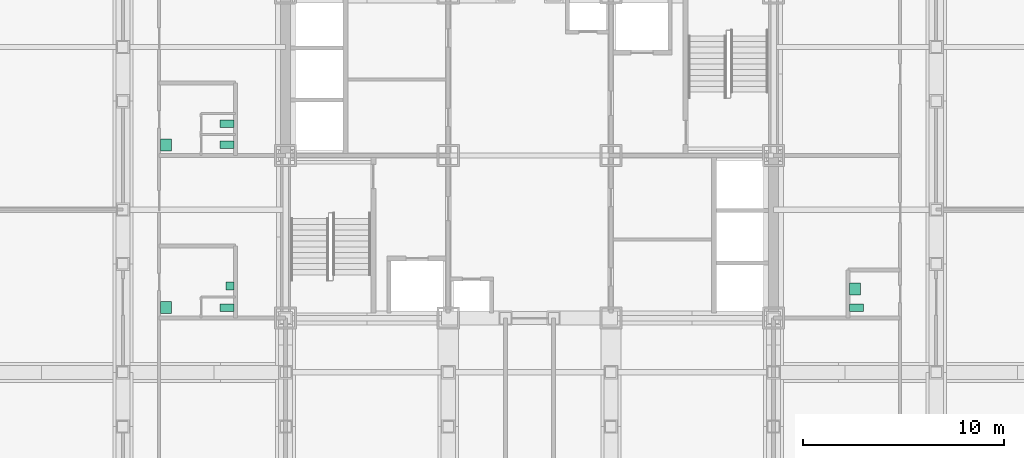
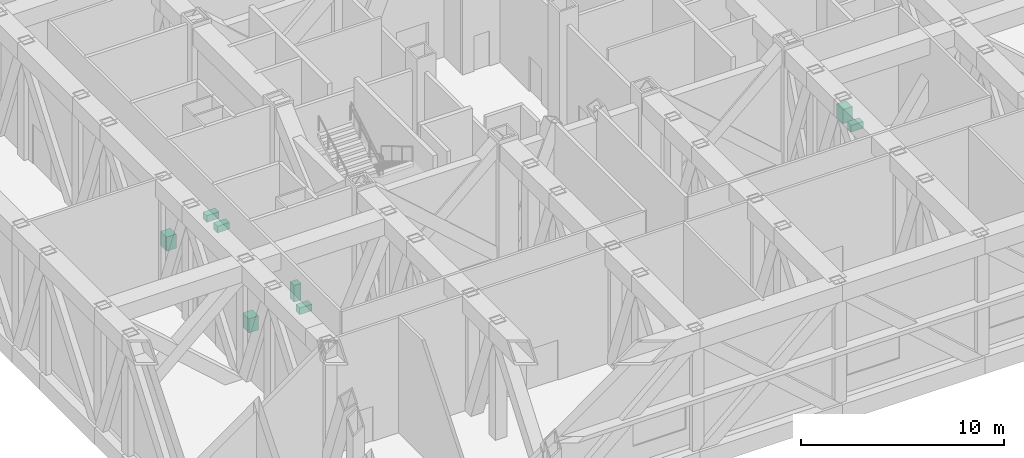
# One storey, part 13 of 13: 8 sanitary terminals.
"""IFC4 building model written with IfcOpenShell, lengths in metres."""

from ifc_helpers import new_model, si_unit, direction, frame, origin, origin_2d, place, context, subcontext, project, spatial, rectangle, extrude, material, element, save


model = new_model("IFC4")

# Units and contexts
model_context = context("Model", 3, precision=1e-05, world=origin(), true_north=direction((0.0, 1.0)))
body_context = subcontext(model_context, "Body", "Model", "MODEL_VIEW")
ifc_project = project(units=[si_unit("LENGTHUNIT", "METRE"), si_unit("AREAUNIT", "SQUARE_METRE"), si_unit("VOLUMEUNIT", "CUBIC_METRE"), si_unit("PLANEANGLEUNIT", "RADIAN"), si_unit("MASSUNIT", "GRAM", prefix="KILO")], contexts=[model_context])

# Site, building, storey
site_placement = place(None, origin())
site = spatial("IfcSite", under=ifc_project, at=site_placement, CompositionType="ELEMENT")
building_placement = place(site_placement, origin())
building = spatial("IfcBuilding", under=site, at=building_placement, Name="Kopane Lantern Tower", CompositionType="ELEMENT")
storey_placement = place(building_placement, frame((0.0, 0.0, 157.800048828125)))
storey = spatial("IfcBuildingStorey", under=building, at=storey_placement, Name="L41", CompositionType="ELEMENT", Elevation=157.800048828125)

# Sanitary terminals
ifc_material = material(Name="Vitreous china")
sanitary_terminal_1_placement = place(storey_placement, frame((13.27490234375, 24.824951171875, 0.0), z_axis=(0.0, 0.0, 1.0), x_axis=(1.0, 0.0, 0.0)))
element("IfcSanitaryTerminal", 1, at=sanitary_terminal_1_placement, inside=storey, material=ifc_material, Name="WC pan L41", PredefinedType="TOILETPAN", context=body_context, shape_type="SweptSolid", body=[
    extrude(rectangle(XDim=0.699951171875, YDim=0.3798828125, at=origin_2d()), origin(), (0.0, 0.0, 1.0), 0.39990234375),
])
sanitary_terminal_2_placement = place(storey_placement, frame((13.425048828125, 25.89990234375, 0.0), z_axis=(0.0, 0.0, 1.0), x_axis=(1.0, 0.0, 0.0)))
element("IfcSanitaryTerminal", 2, at=sanitary_terminal_2_placement, inside=storey, material=ifc_material, Name="Urinal L41", PredefinedType="URINAL", context=body_context, shape_type="SweptSolid", body=[
    extrude(rectangle(XDim=0.39990234375, YDim=0.39990234375, at=origin_2d()), origin(), (0.0, 0.0, 1.0), 1.0),
])
sanitary_terminal_3_placement = place(storey_placement, frame((10.25, 24.824951171875, 0.0), z_axis=(0.0, 0.0, 1.0), x_axis=(1.0, 0.0, 0.0)))
element("IfcSanitaryTerminal", 3, at=sanitary_terminal_3_placement, inside=storey, material=ifc_material, Name="Wash basin L41", PredefinedType="WASHHANDBASIN", context=body_context, shape_type="SweptSolid", body=[
    extrude(rectangle(XDim=0.550048828125, YDim=0.60009765625, at=origin_2d()), origin(), (0.0, 0.0, 1.0), 0.85009765625),
])
for number, where, z_axis, x_axis, name in (
    (4, (13.27490234375, 32.925048828125, 0.0), (0.0, 0.0, 1.0), (1.0, 0.0, 0.0), "WC pan L41"),
    (5, (13.27490234375, 33.97509765625, 0.0), (0.0, 0.0, 1.0), (1.0, 0.0, 0.0), "WC pan L41"),
):
    element("IfcSanitaryTerminal", number, at=place(storey_placement, frame(where, z_axis=z_axis, x_axis=x_axis)), inside=storey, material=ifc_material, Name=name, PredefinedType="TOILETPAN", context=body_context, shape_type="SweptSolid", body=[
        extrude(rectangle(XDim=0.699951171875, YDim=0.3798828125, at=origin_2d()), origin(), (0.0, 0.0, 1.0), 0.39990234375),
    ])
sanitary_terminal_4_placement = place(storey_placement, frame((10.25, 32.925048828125, 0.0), z_axis=(0.0, 0.0, 1.0), x_axis=(1.0, 0.0, 0.0)))
element("IfcSanitaryTerminal", 6, at=sanitary_terminal_4_placement, inside=storey, material=ifc_material, Name="Wash basin L41", PredefinedType="WASHHANDBASIN", context=body_context, shape_type="SweptSolid", body=[
    extrude(rectangle(XDim=0.550048828125, YDim=0.60009765625, at=origin_2d()), origin(), (0.0, 0.0, 1.0), 0.85009765625),
])
sanitary_terminal_5_placement = place(storey_placement, frame((44.625, 24.824951171875, 0.0), z_axis=(0.0, 0.0, 1.0), x_axis=(1.0, 0.0, 0.0)))
element("IfcSanitaryTerminal", 7, at=sanitary_terminal_5_placement, inside=storey, material=ifc_material, Name="WC pan L41", PredefinedType="TOILETPAN", context=body_context, shape_type="SweptSolid", body=[
    extrude(rectangle(XDim=0.699951171875, YDim=0.3798828125, at=origin_2d()), origin(), (0.0, 0.0, 1.0), 0.39990234375),
])
sanitary_terminal_6_placement = place(storey_placement, frame((44.550048828125, 25.75, 0.0), z_axis=(0.0, 0.0, 1.0), x_axis=(1.0, 0.0, 0.0)))
element("IfcSanitaryTerminal", 8, at=sanitary_terminal_6_placement, inside=storey, material=ifc_material, Name="Wash basin L41", PredefinedType="WASHHANDBASIN", context=body_context, shape_type="SweptSolid", body=[
    extrude(rectangle(XDim=0.550048828125, YDim=0.60009765625, at=origin_2d()), origin(), (0.0, 0.0, 1.0), 0.85009765625),
])

save(model, "model.ifc")
